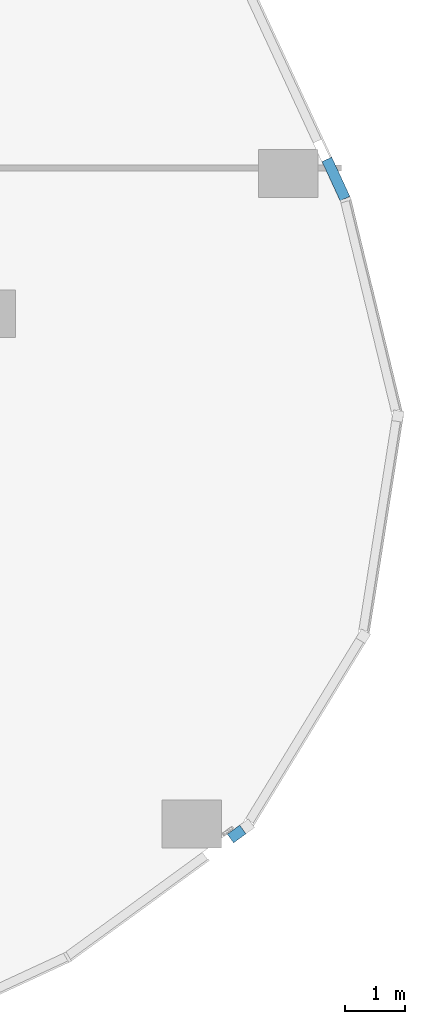
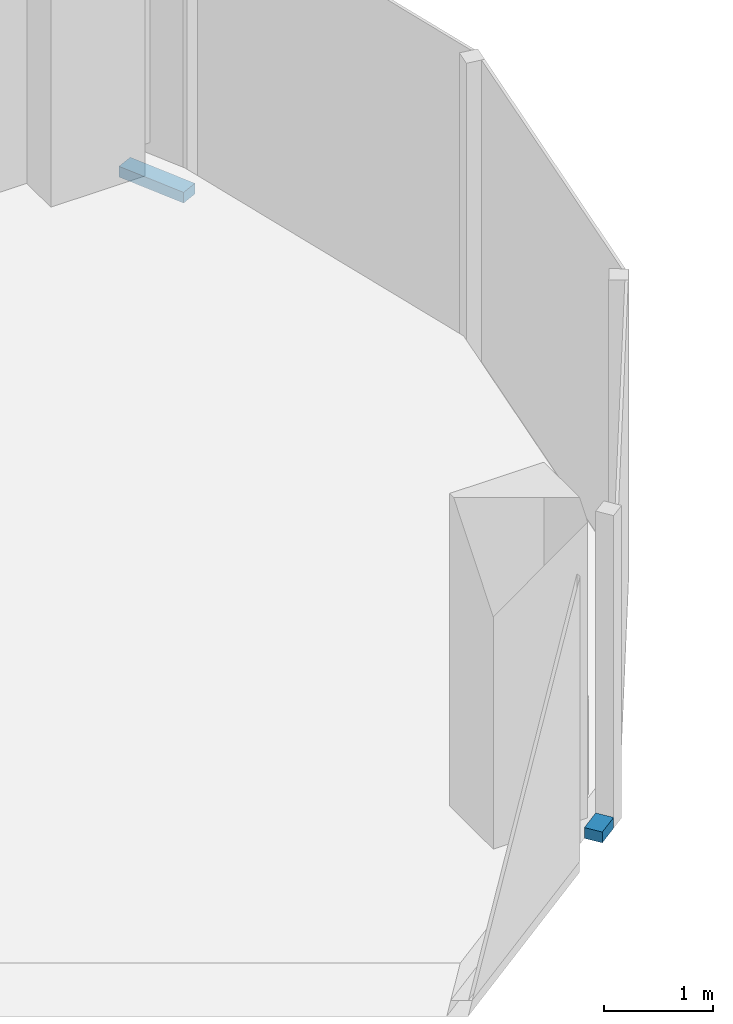
# One storey, part 13 of 23: 2 members, 2 elements without a shape of their own.
"""IFC4 building model written with IfcOpenShell, lengths in metres."""

import ifcopenshell
import ifcopenshell.guid

model = None  # the IFC model being written
_history = None  # IfcOwnerHistory: only IFC2X3 demands one
_inside = {}  # id of a spatial element -> (the spatial element, [elements in it])
_under = {}  # id of a project, library or spatial element -> (it, [spatial elements below it])
_declared = {}  # id of a project -> (the project, [libraries it declares])
_typed = {}  # id of a type object -> (the type object, [elements of that type])
_made_of = {}  # id of a material, layer set ... -> (it, [elements and type objects made of it])


def new_model(schema):
    """Start an empty IFC model of exactly this schema.

    Asked for "IFC4X3", IfcOpenShell would pick the latest addendum, in which some entities
    have other attributes; the version numbers below select the first issue.
    IFC2X3 requires an IfcOwnerHistory on every rooted entity: one is made here for all.
    """
    global model, _history
    if schema == "IFC4X3":
        model = ifcopenshell.file(schema_version=(4, 3, 0, 0))
    else:
        model = ifcopenshell.file(schema=schema)
    _inside.clear()
    _under.clear()
    _declared.clear()
    _typed.clear()
    _made_of.clear()
    _history = None
    if model.schema == "IFC2X3":
        org = make("IfcOrganization", Name="unknown")
        user = make(
            "IfcPersonAndOrganization",
            ThePerson=make("IfcPerson", FamilyName="unknown"),
            TheOrganization=org,
        )
        app = make(
            "IfcApplication",
            ApplicationDeveloper=org,
            Version="unknown",
            ApplicationFullName="unknown",
            ApplicationIdentifier="unknown",
        )
        _history = make(
            "IfcOwnerHistory",
            OwningUser=user,
            OwningApplication=app,
            ChangeAction="ADDED",
            CreationDate=0,
        )
    return model


def make(cls, **values):
    """One entity of the class cls with the attributes given. An attribute that is None is left unset."""
    return model.create_entity(
        cls, **{name: value for name, value in values.items() if value is not None}
    )


def rooted(cls, **values):
    """An entity with a GlobalId (a new one), such as an element, a storey or a relation."""
    return make(cls, GlobalId=ifcopenshell.guid.new(), OwnerHistory=_history, **values)


def si_unit(unit_type, name, prefix=None):
    """IfcSIUnit, for example si_unit("LENGTHUNIT", "METRE", prefix="MILLI")."""
    return make("IfcSIUnit", UnitType=unit_type, Prefix=prefix, Name=name)


def assignment(units):
    """IfcUnitAssignment: the units of a project."""
    return None if units is None else make("IfcUnitAssignment", Units=units)


def point(xyz):
    """IfcCartesianPoint."""
    return None if xyz is None else make("IfcCartesianPoint", Coordinates=xyz)


def direction(xyz):
    """IfcDirection."""
    return None if xyz is None else make("IfcDirection", DirectionRatios=xyz)


def frame(location, z_axis=None, x_axis=None):
    """IfcAxis2Placement3D, a coordinate frame: its origin and axes. An axis left out is left unset."""
    return make(
        "IfcAxis2Placement3D",
        Location=point(location),
        Axis=direction(z_axis),
        RefDirection=direction(x_axis),
    )


def frame_2d(location, x_axis=None):
    """IfcAxis2Placement2D, a coordinate frame in the plane: its origin and x axis."""
    return make(
        "IfcAxis2Placement2D", Location=point(location), RefDirection=direction(x_axis)
    )


def origin():
    """The frame at (0, 0, 0) with its axes left unset."""
    return frame((0.0, 0.0, 0.0))


def origin_2d():
    """The frame at (0, 0) in the plane with its x axis left unset."""
    return frame_2d((0.0, 0.0))


def place(relative_to, where):
    """IfcLocalPlacement: puts the frame where relative to a parent placement (None: the world)."""
    return make(
        "IfcLocalPlacement", PlacementRelTo=relative_to, RelativePlacement=where
    )


def context(
    kind, dimensions, precision=None, world=None, true_north=None, identifier=None
):
    """IfcGeometricRepresentationContext, for example the 3D "Model" context."""
    return make(
        "IfcGeometricRepresentationContext",
        ContextIdentifier=identifier,
        ContextType=kind,
        CoordinateSpaceDimension=dimensions,
        Precision=precision,
        WorldCoordinateSystem=world,
        TrueNorth=true_north,
    )


def subcontext(parent, identifier, kind, view, scale=None):
    """IfcGeometricRepresentationSubContext, for example "Body" below "Model"."""
    return make(
        "IfcGeometricRepresentationSubContext",
        ContextIdentifier=identifier,
        ContextType=kind,
        ParentContext=parent,
        TargetScale=scale,
        TargetView=view,
    )


def project(units=None, contexts=None):
    """IfcProject with its units and contexts."""
    return rooted(
        "IfcProject",
        Name="project",
        RepresentationContexts=contexts,
        UnitsInContext=assignment(units),
    )


def spatial(cls, under=None, at=None, **own):
    """A site, building, storey or space (cls), placed at a placement, below another one or the project."""
    s = rooted(cls, ObjectPlacement=at, **own)
    if under is not None:
        _under.setdefault(under.id(), (under, []))[1].append(s)
    return s


def profile(cls, at=None, kind="AREA", **sizes):
    """A parametric profile (cls). Its sizes go by their IFC names, for example OverallWidth=200.0."""
    return make(cls, ProfileType=kind, Position=at, **sizes)


def rectangle(**sizes):
    """IfcRectangleProfileDef."""
    return profile("IfcRectangleProfileDef", **sizes)


def extrude(swept, where, along, depth):
    """IfcExtrudedAreaSolid: the profile swept, set in the frame where, extruded along a direction by depth."""
    return make(
        "IfcExtrudedAreaSolid",
        SweptArea=swept,
        Position=where,
        ExtrudedDirection=direction(along),
        Depth=depth,
    )


def shape(context_of_items, identifier, shape_type, items):
    """IfcShapeRepresentation: the items that make up one representation, for example the "Body"."""
    return make(
        "IfcShapeRepresentation",
        ContextOfItems=context_of_items,
        RepresentationIdentifier=identifier,
        RepresentationType=shape_type,
        Items=items,
    )


def material(Name=None, Category=None):
    """IfcMaterial."""
    return make("IfcMaterial", Name=Name, Category=Category)


def material_profile(
    of_material, cross_section, Name=None, Category=None, Priority=None
):
    """IfcMaterialProfile: a cross section and its material."""
    return make(
        "IfcMaterialProfile",
        Name=Name,
        Material=of_material,
        Profile=cross_section,
        Priority=Priority,
        Category=Category,
    )


def profile_set(profiles, Name=None, composite=None):
    """IfcMaterialProfileSet."""
    return make(
        "IfcMaterialProfileSet",
        Name=Name,
        MaterialProfiles=profiles,
        CompositeProfile=composite,
    )


def made_of(thing, what):
    """Note that an element or type object is made of a material, layer set ...; save() writes the relation."""
    if what is not None:
        _made_of.setdefault(what.id(), (what, []))[1].append(thing)
    return thing


def type_object(cls, material=None, **own):
    """A type object (cls), such as IfcWallType, which elements share."""
    return made_of(rooted(cls, **own), material)


def element(
    cls,
    number,
    at=None,
    inside=None,
    cuts=None,
    type_object=None,
    material=None,
    context=None,
    identifier="Body",
    shape_type=None,
    held_by="IfcProductDefinitionShape",
    body=None,
    shapes=None,
    **own,
):
    """One element of the class cls, such as IfcWall. Its Tag is "e" and its number.

    at: its placement. inside: the storey or other place that contains it. cuts: it is an
    opening in that element (IfcRelVoidsElement). A single representation is given by context,
    identifier, shape_type and body (its items); several are given by shapes. held_by: the class
    of the entity that holds the representations. save() writes the other relations.
    """
    e = rooted(cls, Tag="e%d" % number, ObjectPlacement=at, **own)
    if body is not None:
        shapes = [shape(context, identifier, shape_type, body)]
    if shapes is not None:
        e.Representation = make(held_by, Representations=shapes)
    if inside is not None:
        _inside.setdefault(inside.id(), (inside, []))[1].append(e)
    if cuts is not None:
        rooted(
            "IfcRelVoidsElement", RelatingBuildingElement=cuts, RelatedOpeningElement=e
        )
    if type_object is not None:
        _typed.setdefault(type_object.id(), (type_object, []))[1].append(e)
    return made_of(e, material)


def aggregate(whole, parts):
    """IfcRelAggregates: a whole, such as a stair, and the parts it consists of."""
    return rooted("IfcRelAggregates", RelatingObject=whole, RelatedObjects=parts)


def save(model, path):
    """Write the relations noted so far, then the file.

    IfcRelAggregates (storeys below a building ...), IfcRelContainedInSpatialStructure (elements
    in a storey), IfcRelDefinesByType, IfcRelAssociatesMaterial and IfcRelDeclares: one each for
    every whole, place, type object, material and project.
    """
    for whole, parts in _under.values():
        aggregate(whole, parts)
    for where, things in _inside.values():
        rooted(
            "IfcRelContainedInSpatialStructure",
            RelatedElements=things,
            RelatingStructure=where,
        )
    for kind, things in _typed.values():
        rooted("IfcRelDefinesByType", RelatedObjects=things, RelatingType=kind)
    for what, things in _made_of.values():
        rooted("IfcRelAssociatesMaterial", RelatedObjects=things, RelatingMaterial=what)
    for by, libraries in _declared.values():
        rooted("IfcRelDeclares", RelatingContext=by, RelatedDefinitions=libraries)
    model.write(path)


model = new_model("IFC4")

# Units and contexts
model_context = context("Model", 3, precision=1e-05, world=origin(), true_north=direction((0.0, 1.0)))
body_context = subcontext(model_context, "Body", "Model", "MODEL_VIEW")
ifc_project = project(units=[si_unit("LENGTHUNIT", "METRE"), si_unit("AREAUNIT", "SQUARE_METRE"), si_unit("VOLUMEUNIT", "CUBIC_METRE"), si_unit("PLANEANGLEUNIT", "RADIAN"), si_unit("MASSUNIT", "GRAM", prefix="KILO")], contexts=[model_context])

# Site, building, storey
site_placement = place(None, origin())
site = spatial("IfcSite", under=ifc_project, at=site_placement, CompositionType="ELEMENT")
building_placement = place(site_placement, origin())
building = spatial("IfcBuilding", under=site, at=building_placement, Name="Orlundy Tower", CompositionType="ELEMENT")
storey_placement = place(building_placement, frame((0.0, 0.0, 260.5)))
storey = spatial("IfcBuildingStorey", under=building, at=storey_placement, Name="L69", CompositionType="ELEMENT", Elevation=260.5)

# Curtain wall, member
ifc_material_1 = material(Name="Aluminium bronze anodised", Category="aluminium")
curtain_wall_type = type_object("IfcCurtainWallType", Name="CW1 wall", PredefinedType="NOTDEFINED", material=ifc_material_1)
curtain_wall_1_placement = place(storey_placement, origin())
curtain_wall_1 = element("IfcCurtainWall", 1, at=curtain_wall_1_placement, inside=storey, type_object=curtain_wall_type, Name="CW1 run 15", PredefinedType="NOTDEFINED")
ifc_material_2 = material(Name="Aluminium bronze anodised", Category="aluminium")
ifc_material_profile = material_profile(ifc_material_2, rectangle(XDim=0.179931640625, YDim=0.1201171875, at=origin_2d()), Name="CW1 transom 180x120")
ifc_profile_set = profile_set([ifc_material_profile], Name="Aluminium bronze anodised")
member_type = type_object("IfcMemberType", Name="CW1 transom 180x120", PredefinedType="USERDEFINED", material=ifc_profile_set)
member_1_placement = place(storey_placement, frame((40.027099609375, 7.771240234375, -0.340087890625), z_axis=(0.419826001954, -0.907604609994, 0.0), x_axis=(0.907604609994, 0.419826001954, 0.0)))
member_1 = element("IfcMember", 2, at=member_1_placement, type_object=member_type, Name="CW1 transom", ObjectType="TRANSOM", PredefinedType="USERDEFINED", context=body_context, shape_type="SweptSolid", body=[
    extrude(rectangle(XDim=0.179931640625, YDim=0.1201171875, at=origin_2d()), origin(), (0.0, 0.0, 1.0), 0.725830078125),
])
aggregate(curtain_wall_1, [member_1])

curtain_wall_2_placement = place(storey_placement, origin())
curtain_wall_2 = element("IfcCurtainWall", 3, at=curtain_wall_2_placement, inside=storey, type_object=curtain_wall_type, Name="CW1 run 19", PredefinedType="NOTDEFINED")
member_2_placement = place(storey_placement, frame((38.61572265625, -3.483154296875, -0.340087890625), z_axis=(-0.808242953664, -0.588849155431, 0.0), x_axis=(0.588849155431, -0.808242953664, 0.0)))
member_2 = element("IfcMember", 4, at=member_2_placement, type_object=member_type, Name="CW1 transom", ObjectType="TRANSOM", PredefinedType="USERDEFINED", context=body_context, shape_type="SweptSolid", body=[
    extrude(rectangle(XDim=0.179931640625, YDim=0.1201171875, at=origin_2d()), origin(), (0.0, 0.0, 1.0), 0.257080078125),
])
aggregate(curtain_wall_2, [member_2])

save(model, "model.ifc")
